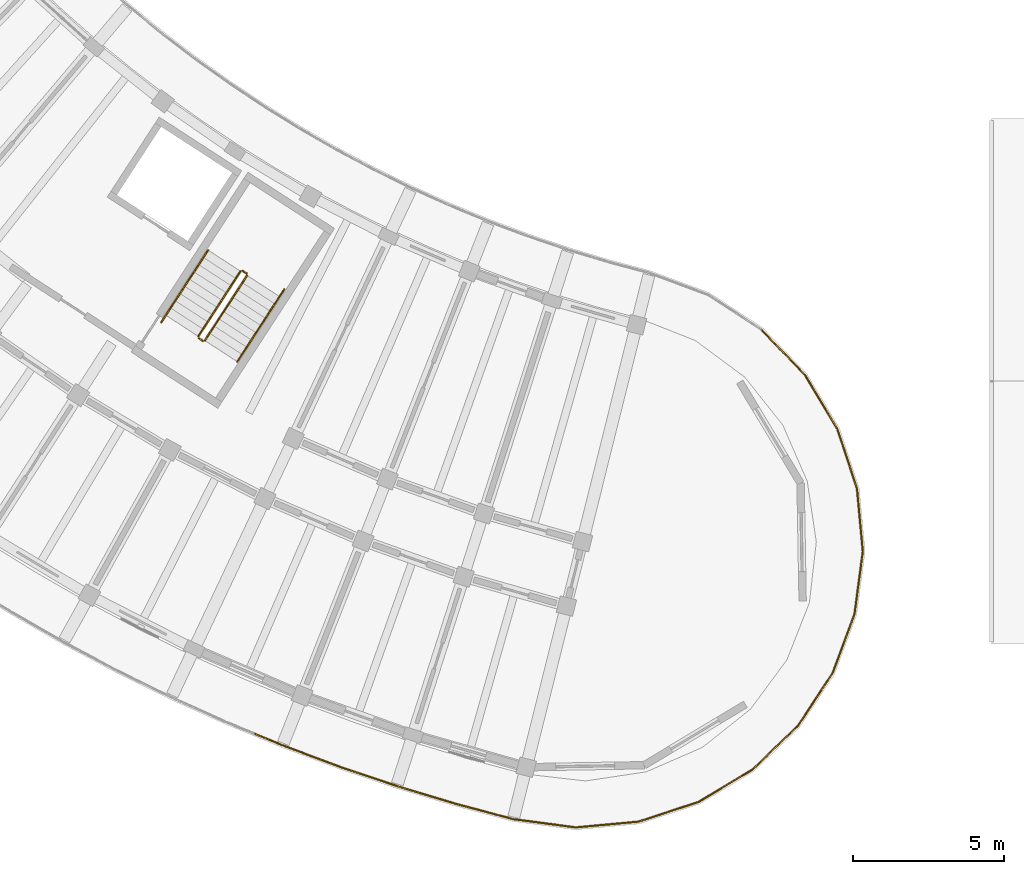
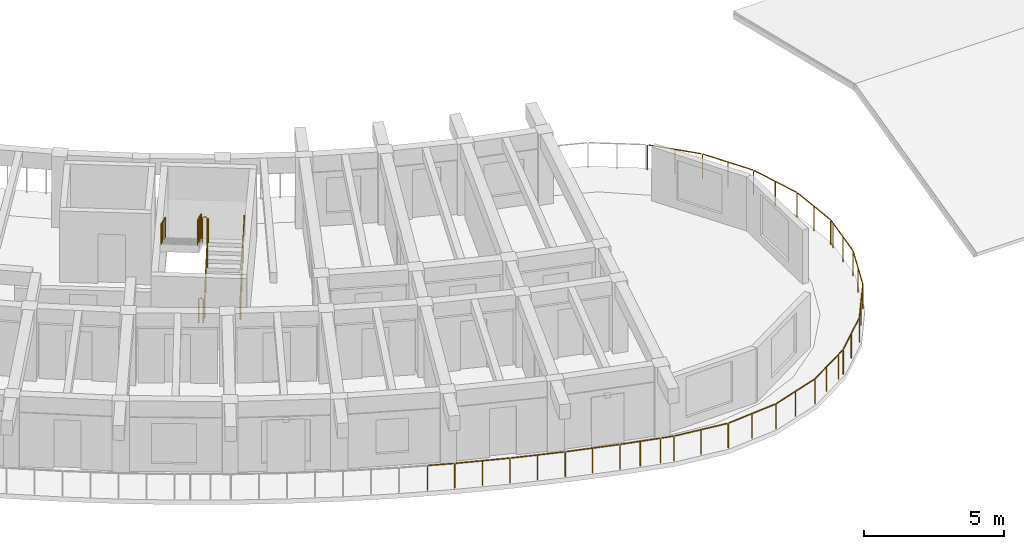
# One storey, part 67 of 81: 14 railings.
"""IFC4 building model written with IfcOpenShell, lengths in metres."""

from ifc_helpers import new_model, si_unit, direction, frame, origin, origin_2d, place, context, subcontext, project, spatial, circle, extrude, material, type_object, element, save


model = new_model("IFC4")

# Units and contexts
model_context = context("Model", 3, precision=1e-05, world=origin(), true_north=direction((0.0, 1.0)))
body_context = subcontext(model_context, "Body", "Model", "MODEL_VIEW")
ifc_project = project(units=[si_unit("LENGTHUNIT", "METRE"), si_unit("AREAUNIT", "SQUARE_METRE"), si_unit("VOLUMEUNIT", "CUBIC_METRE"), si_unit("PLANEANGLEUNIT", "RADIAN"), si_unit("MASSUNIT", "GRAM", prefix="KILO")], contexts=[model_context])

# Site, building, storey
site_placement = place(None, origin())
site = spatial("IfcSite", under=ifc_project, at=site_placement, CompositionType="ELEMENT")
building_placement = place(site_placement, origin())
building = spatial("IfcBuilding", under=site, at=building_placement, Name="Tanwirah Colonnade Gardens", CompositionType="ELEMENT")
storey_placement = place(building_placement, frame((0.0, 0.0, 8.840087890625)))
storey = spatial("IfcBuildingStorey", under=building, at=storey_placement, Name="L02", CompositionType="ELEMENT", Elevation=8.840087890625)

# Railings
ifc_material_1 = material(Name="Precast concrete C40/50", Category="concrete")
railing_type_1 = type_object("IfcRailingType", Name="BAL-EXT110", PredefinedType="BALUSTRADE", material=ifc_material_1)
railing_1_placement = place(storey_placement, frame((58.4072265625, 21.1796875, 0.0)))
element("IfcRailing", 1, at=railing_1_placement, inside=storey, type_object=railing_type_1, Name="Block C L02 Balcony Ribbon Balustrade 7", PredefinedType="BALUSTRADE", context=body_context, shape_type="SweptSolid", body=[
    extrude(circle(Radius=0.02392578125, at=origin_2d()), frame((0.021728515625, -0.0224609375, 1.076171875), z_axis=(0.692905401336, -0.721028504845, 0.0), x_axis=(0.721028504845, 0.692905401336, 0.0)), (0.0, 0.0, 1.0), 1.9775390625),
    extrude(circle(Radius=0.02392578125, at=origin_2d()), frame((1.4296875, -1.497802734375, 1.076171875), z_axis=(0.514994600754, -0.85719342111, 0.0), x_axis=(0.85719342111, 0.514994600754, 0.0)), (0.0, 0.0, 1.0), 2.0244140625),
    extrude(circle(Radius=0.02392578125, at=origin_2d()), frame((2.498046875, -3.28955078125, 1.076171875), z_axis=(0.311415597507, -0.950273816134, 0.0), x_axis=(0.950273816134, 0.311415597507, 0.0)), (0.0, 0.0, 1.0), 2.0244140625),
    extrude(circle(Radius=0.02392578125, at=origin_2d()), frame((3.14111328125, -5.274169921875, 1.076171875), z_axis=(0.092181027347, -0.995742264945, 0.0), x_axis=(0.995742264945, 0.092181027347, 0.0)), (0.0, 0.0, 1.0), 2.0244140625),
    extrude(circle(Radius=0.02392578125, at=origin_2d()), frame((3.326416015625, -7.35205078125, 1.076171875), z_axis=(-0.132485122951, -0.991184993932, 0.0), x_axis=(0.991184993932, -0.132485122951, 0.0)), (0.0, 0.0, 1.0), 0.136474609375),
    extrude(circle(Radius=0.02099609375, at=origin_2d()), origin(), (0.0, 0.0, 1.0), 1.049072265625),
    extrude(circle(Radius=0.02099609375, at=origin_2d()), frame((0.706787109375, -0.7353515625, 0.0)), (0.0, 0.0, 1.0), 1.049072265625),
    extrude(circle(Radius=0.02099609375, at=origin_2d()), frame((1.41357421875, -1.470947265625, 0.0)), (0.0, 0.0, 1.0), 1.049072265625),
    extrude(circle(Radius=0.02099609375, at=origin_2d()), frame((1.950927734375, -2.365234375, 0.0)), (0.0, 0.0, 1.0), 1.049072265625),
    extrude(circle(Radius=0.02099609375, at=origin_2d()), frame((2.48828125, -3.259765625, 0.0)), (0.0, 0.0, 1.0), 1.049072265625),
    extrude(circle(Radius=0.02099609375, at=origin_2d()), frame((2.813232421875, -4.25146484375, 0.0)), (0.0, 0.0, 1.0), 1.049072265625),
    extrude(circle(Radius=0.02099609375, at=origin_2d()), frame((3.13818359375, -5.242919921875, 0.0)), (0.0, 0.0, 1.0), 1.049072265625),
    extrude(circle(Radius=0.02099609375, at=origin_2d()), frame((3.234375, -6.281982421875, 0.0)), (0.0, 0.0, 1.0), 1.049072265625),
    extrude(circle(Radius=0.02099609375, at=origin_2d()), frame((3.33056640625, -7.321044921875, 0.0)), (0.0, 0.0, 1.0), 1.049072265625),
    extrude(circle(Radius=0.02099609375, at=origin_2d()), frame((3.30419921875, -7.518310546875, 0.0)), (0.0, 0.0, 1.0), 1.049072265625),
])
railing_2_placement = place(storey_placement, frame((61.71142578125, 13.661376953125, 0.0)))
element("IfcRailing", 2, at=railing_2_placement, inside=storey, type_object=railing_type_1, Name="Block C L02 Balcony Ribbon Balustrade 8", PredefinedType="BALUSTRADE", context=body_context, shape_type="SweptSolid", body=[
    extrude(circle(Radius=0.02392578125, at=origin_2d()), frame((-0.004150390625, -0.031005859375, 1.076171875), z_axis=(-0.131782511201, -0.991278653932, 0.0), x_axis=(0.991278653932, -0.131782511201, 0.0)), (0.0, 0.0, 1.0), 1.8251953125),
    extrude(circle(Radius=0.02392578125, at=origin_2d()), frame((-0.259765625, -1.900634765625, 1.076171875), z_axis=(-0.348994198599, -0.937124884604, 0.0), x_axis=(0.937124884604, -0.348994198599, 0.0)), (0.0, 0.0, 1.0), 2.024169921875),
    extrude(circle(Radius=0.02392578125, at=origin_2d()), frame((-0.994140625, -3.85302734375, 1.076171875), z_axis=(-0.548773979468, -0.835970764715, 0.0), x_axis=(0.835970764715, -0.548773979468, 0.0)), (0.0, 0.0, 1.0), 2.0244140625),
    extrude(circle(Radius=0.02392578125, at=origin_2d()), frame((-2.144775390625, -5.59326171875, 1.076171875), z_axis=(-0.721062309091, -0.692870223353, 0.0), x_axis=(0.692870223353, -0.721062309091, 0.0)), (0.0, 0.0, 1.0), 2.0244140625),
    extrude(circle(Radius=0.02392578125, at=origin_2d()), frame((-3.654052734375, -7.03369140625, 1.076171875), z_axis=(-0.857492925713, -0.514495755428, 0.0), x_axis=(0.514495755428, -0.857492925713, 0.0)), (0.0, 0.0, 1.0), 0.2890625),
    extrude(circle(Radius=0.02099609375, at=origin_2d()), origin(), (0.0, 0.0, 1.0), 1.049072265625),
    extrude(circle(Radius=0.02099609375, at=origin_2d()), frame((-0.12451171875, -0.935546875, 0.0)), (0.0, 0.0, 1.0), 1.049072265625),
    extrude(circle(Radius=0.02099609375, at=origin_2d()), frame((-0.248779296875, -1.871337890625, 0.0)), (0.0, 0.0, 1.0), 1.049072265625),
    extrude(circle(Radius=0.02099609375, at=origin_2d()), frame((-0.61279296875, -2.84912109375, 0.0)), (0.0, 0.0, 1.0), 1.049072265625),
    extrude(circle(Radius=0.02099609375, at=origin_2d()), frame((-0.97705078125, -3.826904296875, 0.0)), (0.0, 0.0, 1.0), 1.049072265625),
    extrude(circle(Radius=0.02099609375, at=origin_2d()), frame((-1.5498046875, -4.69921875, 0.0)), (0.0, 0.0, 1.0), 1.049072265625),
    extrude(circle(Radius=0.02099609375, at=origin_2d()), frame((-2.122314453125, -5.571533203125, 0.0)), (0.0, 0.0, 1.0), 1.049072265625),
    extrude(circle(Radius=0.02099609375, at=origin_2d()), frame((-2.874755859375, -6.29443359375, 0.0)), (0.0, 0.0, 1.0), 1.049072265625),
    extrude(circle(Radius=0.02099609375, at=origin_2d()), frame((-3.627197265625, -7.017578125, 0.0)), (0.0, 0.0, 1.0), 1.049072265625),
    extrude(circle(Radius=0.02099609375, at=origin_2d()), frame((-3.9287109375, -7.198486328125, 0.0)), (0.0, 0.0, 1.0), 1.049072265625),
])
railing_3_placement = place(storey_placement, frame((57.78271484375, 6.462890625, 0.0)))
element("IfcRailing", 3, at=railing_3_placement, inside=storey, type_object=railing_type_1, Name="Block C L02 Balcony Ribbon Balustrade 9", PredefinedType="BALUSTRADE", context=body_context, shape_type="SweptSolid", body=[
    extrude(circle(Radius=0.02392578125, at=origin_2d()), frame((-0.02685546875, -0.01611328125, 1.076171875), z_axis=(-0.857132694219, -0.515095665387, 0.0), x_axis=(0.515095665387, -0.857132694219, 0.0)), (0.0, 0.0, 1.0), 1.672607421875),
    extrude(circle(Radius=0.02392578125, at=origin_2d()), frame((-1.51708984375, -0.903564453125, 1.076171875), z_axis=(-0.950273816134, -0.311415597507, 0.0), x_axis=(0.311415597507, -0.950273816134, 0.0)), (0.0, 0.0, 1.0), 2.0244140625),
    extrude(circle(Radius=0.02392578125, at=origin_2d()), frame((-3.501708984375, -1.546630859375, 1.076171875), z_axis=(-0.995752995821, -0.0920650385, 0.0), x_axis=(0.0920650385, -0.995752995821, 0.0)), (0.0, 0.0, 1.0), 2.0244140625),
    extrude(circle(Radius=0.02392578125, at=origin_2d()), frame((-5.57958984375, -1.731689453125, 1.076171875), z_axis=(-0.991286952851, 0.131720071011, 0.0), x_axis=(-0.131720071011, -0.991286952851, 0.0)), (0.0, 0.0, 1.0), 2.0283203125),
    extrude(circle(Radius=0.02392578125, at=origin_2d()), frame((-7.6513671875, -1.452392578125, 1.076171875), z_axis=(-0.966202518502, 0.257784198974, 0.0), x_axis=(-0.257784198974, -0.966202518502, 0.0)), (0.0, 0.0, 1.0), 0.4375),
    extrude(circle(Radius=0.02099609375, at=origin_2d()), origin(), (0.0, 0.0, 1.0), 1.049072265625),
    extrude(circle(Radius=0.02099609375, at=origin_2d()), frame((-0.74365234375, -0.44677734375, 0.0)), (0.0, 0.0, 1.0), 1.049072265625),
    extrude(circle(Radius=0.02099609375, at=origin_2d()), frame((-1.4873046875, -0.893798828125, 0.0)), (0.0, 0.0, 1.0), 1.049072265625),
    extrude(circle(Radius=0.02099609375, at=origin_2d()), frame((-2.47900390625, -1.21875, 0.0)), (0.0, 0.0, 1.0), 1.049072265625),
    extrude(circle(Radius=0.02099609375, at=origin_2d()), frame((-3.470458984375, -1.543701171875, 0.0)), (0.0, 0.0, 1.0), 1.049072265625),
    extrude(circle(Radius=0.02099609375, at=origin_2d()), frame((-4.509521484375, -1.6396484375, 0.0)), (0.0, 0.0, 1.0), 1.049072265625),
    extrude(circle(Radius=0.02099609375, at=origin_2d()), frame((-5.548583984375, -1.73583984375, 0.0)), (0.0, 0.0, 1.0), 1.049072265625),
    extrude(circle(Radius=0.02099609375, at=origin_2d()), frame((-6.5849609375, -1.59814453125, 0.0)), (0.0, 0.0, 1.0), 1.049072265625),
    extrude(circle(Radius=0.02099609375, at=origin_2d()), frame((-7.62109375, -1.46044921875, 0.0)), (0.0, 0.0, 1.0), 1.049072265625),
    extrude(circle(Radius=0.02099609375, at=origin_2d()), frame((-8.104248046875, -1.33154296875, 0.0)), (0.0, 0.0, 1.0), 1.049072265625),
])
railing_4_placement = place(storey_placement, frame((49.678466796875, 5.13134765625, 0.0)))
element("IfcRailing", 4, at=railing_4_placement, inside=storey, type_object=railing_type_1, Name="Block C L02 Balcony Ribbon Balustrade 10", PredefinedType="BALUSTRADE", context=body_context, shape_type="SweptSolid", body=[
    extrude(circle(Radius=0.02392578125, at=origin_2d()), frame((-0.0302734375, 0.008056640625, 1.076171875), z_axis=(-0.966189083101, 0.257834551014, 0.0), x_axis=(-0.257834551014, -0.966189083101, 0.0)), (0.0, 0.0, 1.0), 1.440185546875),
    extrude(circle(Radius=0.02392578125, at=origin_2d()), frame((-1.48193359375, 0.396484375, 1.076171875), z_axis=(-0.957268624199, 0.289200243991, 0.0), x_axis=(-0.289200243991, -0.957268624199, 0.0)), (0.0, 0.0, 1.0), 1.944091796875),
    extrude(circle(Radius=0.02392578125, at=origin_2d()), frame((-3.40234375, 0.977783203125, 1.076171875), z_axis=(-0.947287006593, 0.320386215589, 0.0), x_axis=(-0.320386215589, -0.947287006593, 0.0)), (0.0, 0.0, 1.0), 1.94384765625),
    extrude(circle(Radius=0.02392578125, at=origin_2d()), frame((-5.302734375, 1.62158203125, 1.076171875), z_axis=(-0.93628917395, 0.351230099427, 0.0), x_axis=(-0.351230099427, -0.93628917395, 0.0)), (0.0, 0.0, 1.0), 1.9443359375),
    extrude(circle(Radius=0.02392578125, at=origin_2d()), frame((-7.18115234375, 2.327392578125, 1.076171875), z_axis=(-0.924320802518, 0.381616370237, 0.0), x_axis=(-0.381616370237, -0.924320802518, 0.0)), (0.0, 0.0, 1.0), 0.9150390625),
    extrude(circle(Radius=0.02099609375, at=origin_2d()), origin(), (0.0, 0.0, 1.0), 1.049072265625),
    extrude(circle(Radius=0.02099609375, at=origin_2d()), frame((-0.72607421875, 0.19384765625, 0.0)), (0.0, 0.0, 1.0), 1.049072265625),
    extrude(circle(Radius=0.02099609375, at=origin_2d()), frame((-1.451904296875, 0.387451171875, 0.0)), (0.0, 0.0, 1.0), 1.049072265625),
    extrude(circle(Radius=0.02099609375, at=origin_2d()), frame((-2.412353515625, 0.677734375, 0.0)), (0.0, 0.0, 1.0), 1.049072265625),
    extrude(circle(Radius=0.02099609375, at=origin_2d()), frame((-3.372802734375, 0.9677734375, 0.0)), (0.0, 0.0, 1.0), 1.049072265625),
    extrude(circle(Radius=0.02099609375, at=origin_2d()), frame((-4.3232421875, 1.2890625, 0.0)), (0.0, 0.0, 1.0), 1.049072265625),
    extrude(circle(Radius=0.02099609375, at=origin_2d()), frame((-5.2734375, 1.610595703125, 0.0)), (0.0, 0.0, 1.0), 1.049072265625),
    extrude(circle(Radius=0.02099609375, at=origin_2d()), frame((-6.212890625, 1.962890625, 0.0)), (0.0, 0.0, 1.0), 1.049072265625),
    extrude(circle(Radius=0.02099609375, at=origin_2d()), frame((-7.15234375, 2.3154296875, 0.0)), (0.0, 0.0, 1.0), 1.049072265625),
    extrude(circle(Radius=0.02099609375, at=origin_2d()), frame((-8.055908203125, 2.6884765625, 0.0)), (0.0, 0.0, 1.0), 1.049072265625),
])
ifc_material_2 = material(Name="Powder-coated galvanized steel", Category="steel")
railing_type_2 = type_object("IfcRailingType", Name="GRD-ST110", PredefinedType="GUARDRAIL", material=ifc_material_2)
railing_5_placement = place(storey_placement, frame((39.955078125, 20.84814453125, 0.16796875)))
element("IfcRailing", 5, at=railing_5_placement, inside=storey, type_object=railing_type_2, Name="L02 ST-C2 stair guard 1", PredefinedType="GUARDRAIL", context=body_context, shape_type="SweptSolid", body=[
    extrude(circle(Radius=0.02392578125, at=origin_2d()), frame((0.0146484375, 0.022705078125, 1.092041015625), z_axis=(0.469192556557, 0.722484378858, 0.507813614603), x_axis=(-0.838667537708, 0.544643701143, 0.0)), (0.0, 0.0, 1.0), 2.914794921875),
    extrude(circle(Radius=0.02099609375, at=origin_2d()), origin(), (0.0, 0.0, 1.0), 1.049072265625),
    extrude(circle(Radius=0.02099609375, at=origin_2d()), frame((0.465576171875, 0.717041015625, 0.50390625)), (0.0, 0.0, 1.0), 1.049072265625),
    extrude(circle(Radius=0.02099609375, at=origin_2d()), frame((0.931396484375, 1.43408203125, 1.008056640625)), (0.0, 0.0, 1.0), 1.049072265625),
    extrude(circle(Radius=0.02099609375, at=origin_2d()), frame((1.39697265625, 2.151123046875, 1.511962890625)), (0.0, 0.0, 1.0), 1.049072265625),
])
railing_6_placement = place(storey_placement, frame((41.33740234375, 23.068603515625, 1.679931640625)))
element("IfcRailing", 6, at=railing_6_placement, inside=storey, type_object=railing_type_2, Name="L02 ST-C2 stair guard 2", PredefinedType="GUARDRAIL", context=body_context, shape_type="SweptSolid", body=[
    extrude(circle(Radius=0.02392578125, at=origin_2d()), frame((-0.026123046875, 0.01708984375, 1.076171875), z_axis=(-0.838791880614, 0.544452184326, 0.0), x_axis=(-0.544452184326, -0.838791880614, 0.0)), (0.0, 0.0, 1.0), 0.09765625),
    extrude(circle(Radius=0.02099609375, at=origin_2d()), origin(), (0.0, 0.0, 1.0), 1.049072265625),
    extrude(circle(Radius=0.02099609375, at=origin_2d()), frame((-0.13427734375, 0.087158203125, 0.0)), (0.0, 0.0, 1.0), 1.049072265625),
])
railing_7_placement = place(storey_placement, frame((41.134033203125, 23.140869140625, 1.847900390625)))
element("IfcRailing", 7, at=railing_7_placement, inside=storey, type_object=railing_type_2, Name="L02 ST-C2 stair guard 3", PredefinedType="GUARDRAIL", context=body_context, shape_type="SweptSolid", body=[
    extrude(circle(Radius=0.02392578125, at=origin_2d()), frame((-0.0146484375, -0.022705078125, 1.092041015625), z_axis=(-0.469192556557, -0.722484378858, 0.507813614603), x_axis=(0.838667537708, -0.544643701143, 0.0)), (0.0, 0.0, 1.0), 2.914794921875),
    extrude(circle(Radius=0.02099609375, at=origin_2d()), origin(), (0.0, 0.0, 1.0), 1.049072265625),
    extrude(circle(Radius=0.02099609375, at=origin_2d()), frame((-0.465576171875, -0.717041015625, 0.50390625)), (0.0, 0.0, 1.0), 1.049072265625),
    extrude(circle(Radius=0.02099609375, at=origin_2d()), frame((-0.931396484375, -1.43408203125, 1.008056640625)), (0.0, 0.0, 1.0), 1.049072265625),
    extrude(circle(Radius=0.02099609375, at=origin_2d()), frame((-1.39697265625, -2.151123046875, 1.511962890625)), (0.0, 0.0, 1.0), 1.049072265625),
])
railing_8_placement = place(storey_placement, frame((39.8857421875, 20.83349609375, 0.0)))
element("IfcRailing", 8, at=railing_8_placement, inside=storey, type_object=railing_type_2, Name="L02 ST-C2 stair guard 4", PredefinedType="GUARDRAIL", context=body_context, shape_type="SweptSolid", body=[
    extrude(circle(Radius=0.02392578125, at=origin_2d()), frame((-0.026123046875, 0.01708984375, 1.076171875), z_axis=(-0.838338936283, 0.545149362938, 0.0), x_axis=(-0.545149362938, -0.838338936283, 0.0)), (0.0, 0.0, 1.0), 0.097412109375),
    extrude(circle(Radius=0.02099609375, at=origin_2d()), origin(), (0.0, 0.0, 1.0), 1.049072265625),
    extrude(circle(Radius=0.02099609375, at=origin_2d()), frame((-0.134033203125, 0.087158203125, 0.0)), (0.0, 0.0, 1.0), 1.049072265625),
])
ifc_material_3 = material(Name="Brushed bronze stainless steel", Category="steel")
railing_type_3 = type_object("IfcRailingType", Name="HR-ST090", PredefinedType="HANDRAIL", material=ifc_material_3)
for number, where, name in (
    (9, (41.028564453125, 20.151123046875, 0.16796875), "L02 ST-C2 stair handrail 1"),
    (10, (41.5458984375, 20.94775390625, 0.73388671875), "L02 ST-C2 stair handrail 2"),
):
    element("IfcRailing", number, at=place(storey_placement, frame(where)), inside=storey, type_object=railing_type_3, Name=name, PredefinedType="HANDRAIL", context=body_context, shape_type="SweptSolid", body=[
        extrude(circle(Radius=0.02392578125, at=origin_2d()), frame((0.0146484375, 0.0224609375, 0.891845703125), z_axis=(0.467889522294, 0.720492454576, 0.511830067333), x_axis=(-0.838672561027, 0.544635965926, 0.0)), (0.0, 0.0, 1.0), 1.043212890625),
        extrude(circle(Radius=0.02099609375, at=origin_2d()), origin(), (0.0, 0.0, 1.0), 0.848876953125),
        extrude(circle(Radius=0.02099609375, at=origin_2d()), frame((0.517333984375, 0.796630859375, 0.56591796875)), (0.0, 0.0, 1.0), 0.848876953125),
    ])
railing_9_placement = place(storey_placement, frame((42.063232421875, 21.744384765625, 1.2998046875)))
element("IfcRailing", 11, at=railing_9_placement, inside=storey, type_object=railing_type_3, Name="L02 ST-C2 stair handrail 3", PredefinedType="HANDRAIL", context=body_context, shape_type="SweptSolid", body=[
    extrude(circle(Radius=0.02392578125, at=origin_2d()), frame((0.0146484375, 0.0224609375, 0.891845703125), z_axis=(0.467934656569, 0.720442792, 0.511858711596), x_axis=(-0.838631412534, 0.544699324317, 0.0)), (0.0, 0.0, 1.0), 1.04345703125),
    extrude(circle(Radius=0.02099609375, at=origin_2d()), origin(), (0.0, 0.0, 1.0), 0.848876953125),
    extrude(circle(Radius=0.02099609375, at=origin_2d()), frame((0.517578125, 0.796875, 0.566162109375)), (0.0, 0.0, 1.0), 0.848876953125),
])
railing_10_placement = place(storey_placement, frame((40.060546875, 23.838134765625, 1.847900390625)))
element("IfcRailing", 12, at=railing_10_placement, inside=storey, type_object=railing_type_3, Name="L02 ST-C2 stair handrail 4", PredefinedType="HANDRAIL", context=body_context, shape_type="SweptSolid", body=[
    extrude(circle(Radius=0.02392578125, at=origin_2d()), frame((-0.0146484375, -0.0224609375, 0.891845703125), z_axis=(-0.467987521127, -0.720524183471, 0.511695789609), x_axis=(0.838631412534, -0.544699324317, 0.0)), (0.0, 0.0, 1.0), 1.04345703125),
    extrude(circle(Radius=0.02099609375, at=origin_2d()), origin(), (0.0, 0.0, 1.0), 0.848876953125),
    extrude(circle(Radius=0.02099609375, at=origin_2d()), frame((-0.517578125, -0.796875, 0.56591796875)), (0.0, 0.0, 1.0), 0.848876953125),
])
railing_11_placement = place(storey_placement, frame((39.54296875, 23.041259765625, 2.413818359375)))
element("IfcRailing", 13, at=railing_11_placement, inside=storey, type_object=railing_type_3, Name="L02 ST-C2 stair handrail 5", PredefinedType="HANDRAIL", context=body_context, shape_type="SweptSolid", body=[
    extrude(circle(Radius=0.02392578125, at=origin_2d()), frame((-0.0146484375, -0.0224609375, 0.891845703125), z_axis=(-0.467836641068, -0.720411023977, 0.511993001717), x_axis=(0.838672561027, -0.544635965926, 0.0)), (0.0, 0.0, 1.0), 1.043212890625),
    extrude(circle(Radius=0.02099609375, at=origin_2d()), origin(), (0.0, 0.0, 1.0), 0.848876953125),
    extrude(circle(Radius=0.02099609375, at=origin_2d()), frame((-0.517333984375, -0.796630859375, 0.566162109375)), (0.0, 0.0, 1.0), 0.848876953125),
])
railing_12_placement = place(storey_placement, frame((39.025634765625, 22.24462890625, 2.97998046875)))
element("IfcRailing", 14, at=railing_12_placement, inside=storey, type_object=railing_type_3, Name="L02 ST-C2 stair handrail 6", PredefinedType="HANDRAIL", context=body_context, shape_type="SweptSolid", body=[
    extrude(circle(Radius=0.02392578125, at=origin_2d()), frame((-0.0146484375, -0.0224609375, 0.891845703125), z_axis=(-0.467889522294, -0.720492454576, 0.511830067333), x_axis=(0.838672561027, -0.544635965926, 0.0)), (0.0, 0.0, 1.0), 1.043212890625),
    extrude(circle(Radius=0.02099609375, at=origin_2d()), origin(), (0.0, 0.0, 1.0), 0.848876953125),
    extrude(circle(Radius=0.02099609375, at=origin_2d()), frame((-0.517333984375, -0.796630859375, 0.56591796875)), (0.0, 0.0, 1.0), 0.848876953125),
])

save(model, "model.ifc")
